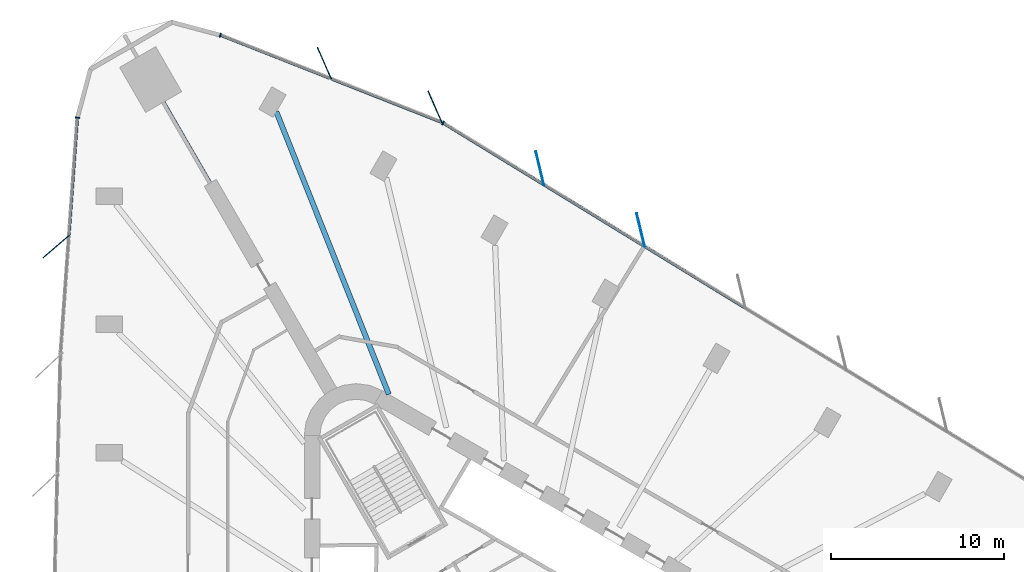
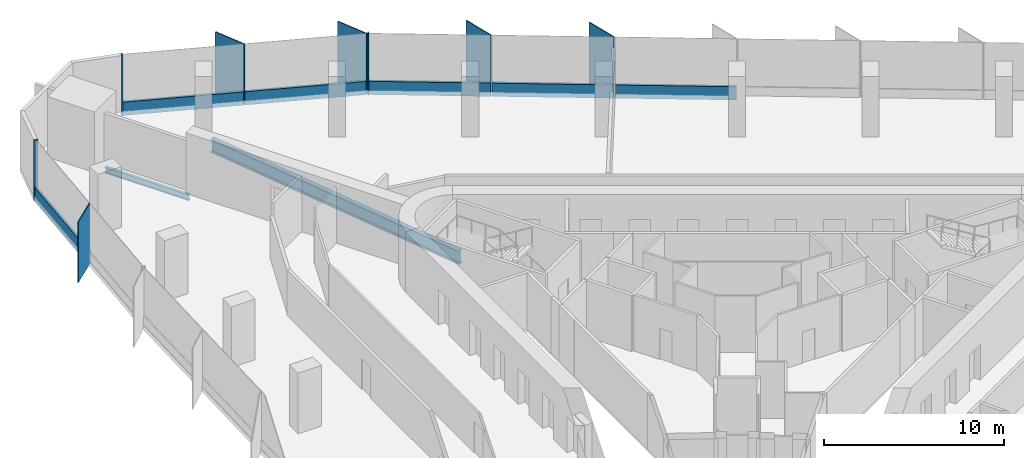
# One storey, part 6 of 13: 14 members, 2 beams, 3 elements without a shape of their own.
"""IFC4 building model written with IfcOpenShell, lengths in metres."""

from ifc_helpers import new_model, si_unit, direction, frame, origin, origin_2d, place, context, subcontext, project, spatial, rectangle, i_section, extrude, material, material_profile, profile_set, type_object, element, aggregate, save


model = new_model("IFC4")

# Units and contexts
model_context = context("Model", 3, precision=1e-05, world=origin(), true_north=direction((0.0, 1.0)))
body_context = subcontext(model_context, "Body", "Model", "MODEL_VIEW")
ifc_project = project(units=[si_unit("LENGTHUNIT", "METRE"), si_unit("AREAUNIT", "SQUARE_METRE"), si_unit("VOLUMEUNIT", "CUBIC_METRE"), si_unit("PLANEANGLEUNIT", "RADIAN"), si_unit("MASSUNIT", "GRAM", prefix="KILO")], contexts=[model_context])

# Site, building, storey
site_placement = place(None, origin())
site = spatial("IfcSite", under=ifc_project, at=site_placement, CompositionType="ELEMENT")
building_placement = place(site_placement, origin())
building = spatial("IfcBuilding", under=site, at=building_placement, Name="Tanit Gate Tower", CompositionType="ELEMENT")
storey_placement = place(building_placement, frame((0.0, 0.0, 66.0)))
storey = spatial("IfcBuildingStorey", under=building, at=storey_placement, Name="L12", CompositionType="ELEMENT", Elevation=66.0)

# Curtain wall, members
ifc_material_1 = material(Name="Aluminium bronze anodised and glass", Category="aluminium")
curtain_wall_type = type_object("IfcCurtainWallType", Name="Curtain wall typical low", PredefinedType="NOTDEFINED", material=ifc_material_1)
curtain_wall_1_placement = place(storey_placement, origin())
curtain_wall_1 = element("IfcCurtainWall", 1, at=curtain_wall_1_placement, inside=storey, type_object=curtain_wall_type, Name="Curtain wall L12 NE2", PredefinedType="NOTDEFINED")
ifc_material_2 = material(Name="Aluminium bronze anodised", Category="aluminium")
ifc_material_profile_1 = material_profile(ifc_material_2, rectangle(XDim=2.0, YDim=0.055908203125, at=origin_2d()), Name="56x2000 bronze fin mullion")
ifc_profile_set_1 = profile_set([ifc_material_profile_1], Name="Aluminium bronze anodised")
member_type_1 = type_object("IfcMemberType", Name="FIN MULLION 56x2000 bronze", PredefinedType="MULLION", material=ifc_profile_set_1)
member_1_placement = place(storey_placement, frame((7.30029296875, 27.619873046875, -0.300048828125), z_axis=(0.0, 0.0, 1.0), x_axis=(0.233691416098, -0.972310815553, 0.0)))
member_1 = element("IfcMember", 2, at=member_1_placement, type_object=member_type_1, Name="Fin mullion L12 NE2.5", PredefinedType="MULLION", context=body_context, shape_type="SweptSolid", body=[
    extrude(rectangle(XDim=2.0, YDim=0.055908203125, at=origin_2d()), origin(), (0.0, 0.0, 1.0), 4.10009765625),
])
member_2_placement = place(storey_placement, frame((1.486572265625, 31.1806640625, -0.300048828125), z_axis=(0.0, 0.0, 1.0), x_axis=(0.233691416098, -0.972310815553, 0.0)))
member_2 = element("IfcMember", 3, at=member_2_placement, type_object=member_type_1, Name="Fin mullion L12 NE2.6", PredefinedType="MULLION", context=body_context, shape_type="SweptSolid", body=[
    extrude(rectangle(XDim=2.0, YDim=0.055908203125, at=origin_2d()), origin(), (0.0, 0.0, 1.0), 4.10009765625),
])

curtain_wall_2_placement = place(storey_placement, origin())
curtain_wall_2 = element("IfcCurtainWall", 4, at=curtain_wall_2_placement, inside=storey, type_object=curtain_wall_type, Name="Curtain wall L12 NE3", PredefinedType="NOTDEFINED")
member_3_placement = place(storey_placement, frame((-4.56005859375, 34.722900390625, -0.300048828125), z_axis=(0.0, 0.0, 1.0), x_axis=(0.39870312374, -0.917080050552, 0.0)))
member_3 = element("IfcMember", 5, at=member_3_placement, type_object=member_type_1, Name="Fin mullion L12 NE3.1", PredefinedType="MULLION", context=body_context, shape_type="SweptSolid", body=[
    extrude(rectangle(XDim=2.0, YDim=0.055908203125, at=origin_2d()), origin(), (0.0, 0.0, 1.0), 4.10009765625),
])
member_4_placement = place(storey_placement, frame((-10.940673828125, 37.236572265625, -0.300048828125), z_axis=(0.0, 0.0, 1.0), x_axis=(0.39870312374, -0.917080050552, 0.0)))
member_4 = element("IfcMember", 6, at=member_4_placement, type_object=member_type_1, Name="Fin mullion L12 NE3.2", PredefinedType="MULLION", context=body_context, shape_type="SweptSolid", body=[
    extrude(rectangle(XDim=2.0, YDim=0.055908203125, at=origin_2d()), origin(), (0.0, 0.0, 1.0), 4.10009765625),
])

# Curtain wall, member
curtain_wall_3_placement = place(storey_placement, origin())
curtain_wall_3 = element("IfcCurtainWall", 7, at=curtain_wall_3_placement, inside=storey, type_object=curtain_wall_type, Name="Curtain wall L12 W1", PredefinedType="NOTDEFINED")
member_5_placement = place(storey_placement, frame((-26.403076171875, 26.670654296875, -0.300048828125), z_axis=(0.0, 0.0, 1.0), x_axis=(0.755801874153, 0.65480037189, 0.0)))
member_5 = element("IfcMember", 8, at=member_5_placement, type_object=member_type_1, Name="Fin mullion L12 W1.2", PredefinedType="MULLION", context=body_context, shape_type="SweptSolid", body=[
    extrude(rectangle(XDim=2.0, YDim=0.055908203125, at=origin_2d()), origin(), (0.0, 0.0, 1.0), 4.10009765625),
])

# Member
ifc_material_3 = material(Name="Aluminium bronze anodised", Category="aluminium")
ifc_material_profile_2 = material_profile(ifc_material_3, rectangle(XDim=0.239990234375, YDim=0.080078125, at=origin_2d()), Name="80x240 bronze mullion")
ifc_profile_set_2 = profile_set([ifc_material_profile_2], Name="Aluminium bronze anodised")
member_type_2 = type_object("IfcMemberType", Name="Mullion 80x240 typical low", PredefinedType="MULLION", material=ifc_profile_set_2)
member_6_placement = place(storey_placement, frame((-4.09912109375, 33.791015625, -0.300048828125), z_axis=(0.0, 0.0, 1.0), x_axis=(-0.522282786071, -0.852772356127, 0.0)))
member_6 = element("IfcMember", 9, at=member_6_placement, type_object=member_type_2, Name="Mullion L12 NE2.7", PredefinedType="MULLION", context=body_context, shape_type="SweptSolid", body=[
    extrude(rectangle(XDim=0.239990234375, YDim=0.080078125, at=origin_2d()), origin(), (0.0, 0.0, 1.0), 4.10009765625),
])

member_7_placement = place(storey_placement, frame((-16.931884765625, 38.854248046875, -0.300048828125), z_axis=(0.0, 0.0, 1.0), x_axis=(-0.366547840159, -0.930399205113, 0.0)))
member_7 = element("IfcMember", 10, at=member_7_placement, type_object=member_type_2, Name="Mullion L12 NE3.3", PredefinedType="MULLION", context=body_context, shape_type="SweptSolid", body=[
    extrude(rectangle(XDim=0.239990234375, YDim=0.080078125, at=origin_2d()), origin(), (0.0, 0.0, 1.0), 4.10009765625),
])

member_8_placement = place(storey_placement, frame((-25.178466796875, 34.094482421875, -0.300048828125), z_axis=(0.0, 0.0, 1.0), x_axis=(0.997446413734, -0.07141884716, 0.0)))
member_8 = element("IfcMember", 11, at=member_8_placement, type_object=member_type_2, Name="Mullion L12 W1.1", PredefinedType="MULLION", context=body_context, shape_type="SweptSolid", body=[
    extrude(rectangle(XDim=0.239990234375, YDim=0.080078125, at=origin_2d()), origin(), (0.0, 0.0, 1.0), 4.10009765625),
])

# Beams
ifc_material_4 = material(Name="Steel S355", Category="steel")
ifc_material_profile_3 = material_profile(ifc_material_4, i_section(OverallWidth=0.300048828125, OverallDepth=0.889892578125, WebThickness=0.01611328125, FlangeThickness=0.030029296875, FilletRadius=0.030029296875, at=origin_2d()), Name="HEA 900")
ifc_profile_set_3 = profile_set([ifc_material_profile_3], Name="Steel S355")
beam_type_1 = type_object("IfcBeamType", Name="RADIAL GIRDER HEA 900 S355", PredefinedType="BEAM", material=ifc_profile_set_3)
beam_1_placement = place(storey_placement, frame((-13.708740234375, 34.4375, -0.7451171875), z_axis=(0.369856388191, -0.929088936601, 0.0), x_axis=(0.929088936601, 0.369856388191, 0.0)))
element("IfcBeam", 12, at=beam_1_placement, inside=storey, type_object=beam_type_1, Name="RADIAL GIRDER", PredefinedType="BEAM", context=body_context, shape_type="SweptSolid", body=[
    extrude(i_section(OverallWidth=0.300048828125, OverallDepth=0.889892578125, WebThickness=0.01611328125, FlangeThickness=0.030029296875, FilletRadius=0.030029296875, at=origin_2d()), origin(), (0.0, 0.0, 1.0), 17.536865234375),
])
ifc_material_5 = material(Name="Steel S355", Category="steel")
ifc_material_profile_4 = material_profile(ifc_material_5, i_section(OverallWidth=0.179931640625, OverallDepth=0.39990234375, WebThickness=0.008544921875, FlangeThickness=0.013427734375, FilletRadius=0.02099609375, at=origin_2d()), Name="IPE 400")
ifc_profile_set_4 = profile_set([ifc_material_profile_4], Name="Steel S355")
beam_type_2 = type_object("IfcBeamType", Name="RADIAL GIRDER IPE 400 S355", PredefinedType="BEAM", material=ifc_profile_set_4)
beam_2_placement = place(storey_placement, frame((-20.206787109375, 34.999267578125, -0.5), z_axis=(0.499994808408, -0.866028401131, 0.0), x_axis=(0.866028401131, 0.499994808408, 0.0)))
element("IfcBeam", 13, at=beam_2_placement, inside=storey, type_object=beam_type_2, Name="RADIAL GIRDER", PredefinedType="BEAM", context=body_context, shape_type="SweptSolid", body=[
    extrude(i_section(OverallWidth=0.179931640625, OverallDepth=0.39990234375, WebThickness=0.008544921875, FlangeThickness=0.013427734375, FilletRadius=0.02099609375, at=origin_2d()), origin(), (0.0, 0.0, 1.0), 5.3798828125),
])

# Member
ifc_material_6 = material(Name="Aluminium bronze anodised", Category="aluminium")
ifc_material_profile_5 = material_profile(ifc_material_6, rectangle(XDim=0.159912109375, YDim=0.89990234375, at=origin_2d()), Name="160x900 bronze transom")
ifc_profile_set_5 = profile_set([ifc_material_profile_5], Name="Aluminium bronze anodised")
member_type_3 = type_object("IfcMemberType", Name="Transom 160x900 typical low", PredefinedType="USERDEFINED", material=ifc_profile_set_5)
member_9_placement = place(storey_placement, frame((13.30859375, 23.129638671875, 0.14990234375), z_axis=(-0.852763694856, 0.522296927749, 0.0), x_axis=(-0.522296927749, -0.852763694856, 0.0)))
member_9 = element("IfcMember", 14, at=member_9_placement, type_object=member_type_3, Name="Transom L12 NE2.4", ObjectType="TRANSOM", PredefinedType="USERDEFINED", context=body_context, shape_type="SweptSolid", body=[
    extrude(rectangle(XDim=0.159912109375, YDim=0.89990234375, at=origin_2d()), origin(), (0.0, 0.0, 1.0), 6.737548828125),
])

member_10_placement = place(storey_placement, frame((7.49462890625, 26.6904296875, 0.14990234375), z_axis=(-0.852763694856, 0.522296927749, 0.0), x_axis=(-0.522296927749, -0.852763694856, 0.0)))
member_10 = element("IfcMember", 15, at=member_10_placement, type_object=member_type_3, Name="Transom L12 NE2.5", ObjectType="TRANSOM", PredefinedType="USERDEFINED", context=body_context, shape_type="SweptSolid", body=[
    extrude(rectangle(XDim=0.159912109375, YDim=0.89990234375, at=origin_2d()), origin(), (0.0, 0.0, 1.0), 6.737548828125),
])

member_11_placement = place(storey_placement, frame((1.6806640625, 30.251220703125, 0.14990234375), z_axis=(-0.852779833847, 0.52227057641, 0.0), x_axis=(-0.52227057641, -0.852779833847, 0.0)))
member_11 = element("IfcMember", 16, at=member_11_placement, type_object=member_type_3, Name="Transom L12 NE2.6", ObjectType="TRANSOM", PredefinedType="USERDEFINED", context=body_context, shape_type="SweptSolid", body=[
    extrude(rectangle(XDim=0.159912109375, YDim=0.89990234375, at=origin_2d()), origin(), (0.0, 0.0, 1.0), 6.737548828125),
])

aggregate(curtain_wall_1, [member_1, member_2, member_6, member_9, member_10, member_11])

member_12_placement = place(storey_placement, frame((-4.20751953125, 33.84130859375, 0.14990234375), z_axis=(-0.930406531729, 0.366529242649, 0.0), x_axis=(-0.366529242649, -0.930406531729, 0.0)))
member_12 = element("IfcMember", 17, at=member_12_placement, type_object=member_type_3, Name="Transom L12 NE3.1", ObjectType="TRANSOM", PredefinedType="USERDEFINED", context=body_context, shape_type="SweptSolid", body=[
    extrude(rectangle(XDim=0.159912109375, YDim=0.89990234375, at=origin_2d()), origin(), (0.0, 0.0, 1.0), 6.778076171875),
])

member_13_placement = place(storey_placement, frame((-10.58837890625, 36.35498046875, 0.14990234375), z_axis=(-0.930401692561, 0.366541526268, 0.0), x_axis=(-0.366541526268, -0.930401692561, 0.0)))
member_13 = element("IfcMember", 18, at=member_13_placement, type_object=member_type_3, Name="Transom L12 NE3.2", ObjectType="TRANSOM", PredefinedType="USERDEFINED", context=body_context, shape_type="SweptSolid", body=[
    extrude(rectangle(XDim=0.159912109375, YDim=0.89990234375, at=origin_2d()), origin(), (0.0, 0.0, 1.0), 6.77783203125),
])

aggregate(curtain_wall_2, [member_3, member_4, member_7, member_12, member_13])

member_14_placement = place(storey_placement, frame((-25.181396484375, 34.0546875, 0.14990234375), z_axis=(-0.071412256994, -0.997446885579, 0.0), x_axis=(0.997446885579, -0.071412256994, 0.0)))
member_14 = element("IfcMember", 19, at=member_14_placement, type_object=member_type_3, Name="Transom L12 W1.1", ObjectType="TRANSOM", PredefinedType="USERDEFINED", context=body_context, shape_type="SweptSolid", body=[
    extrude(rectangle(XDim=0.159912109375, YDim=0.89990234375, at=origin_2d()), origin(), (0.0, 0.0, 1.0), 6.72119140625),
])

aggregate(curtain_wall_3, [member_8, member_5, member_14])

save(model, "model.ifc")
